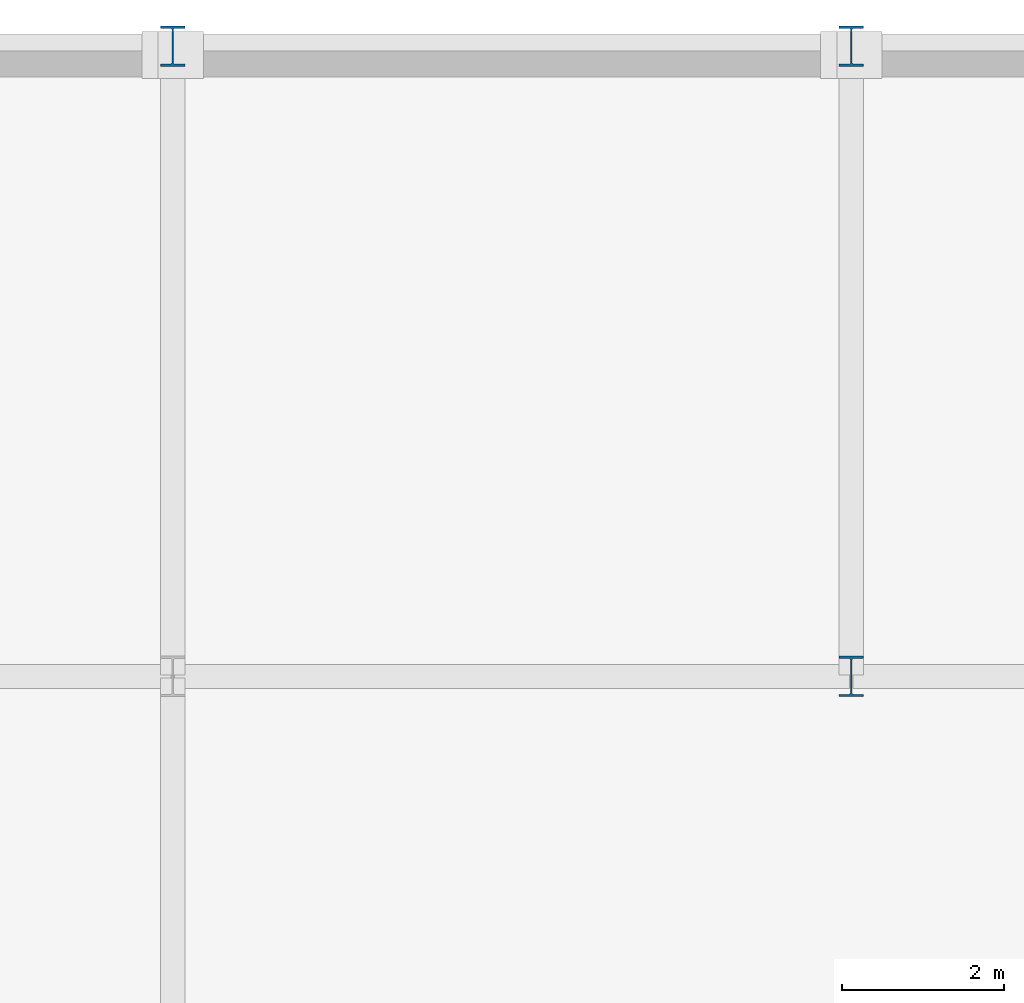
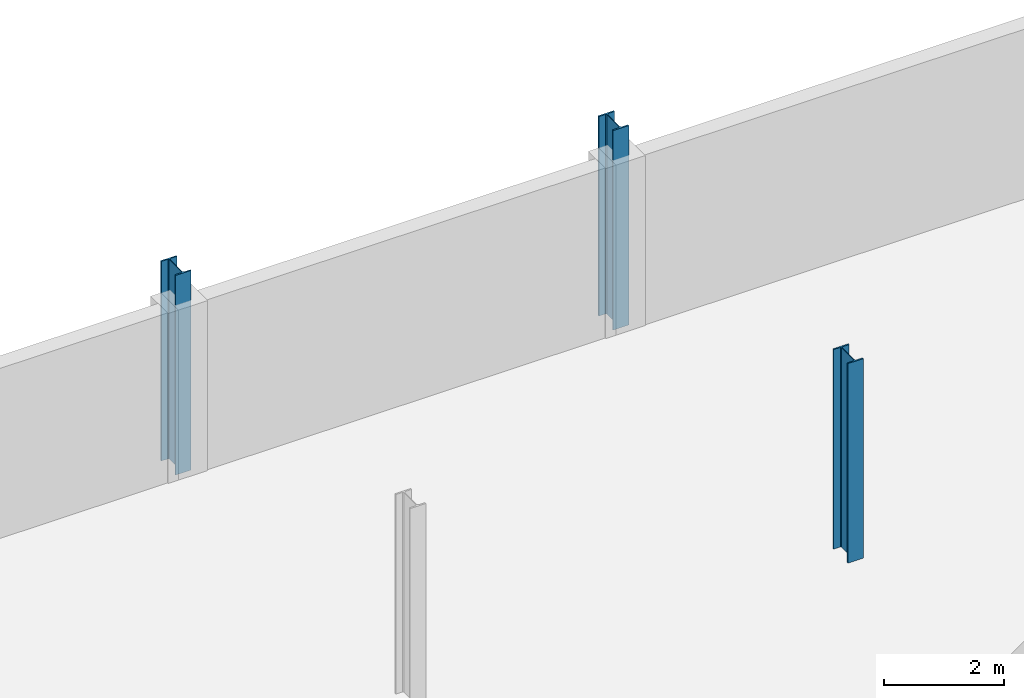
# One storey, part 17 of 77: 3 columns.
"""IFC4 building model written with IfcOpenShell, lengths in metres."""

from ifc_helpers import new_model, si_unit, direction, frame, origin, origin_2d, place, context, subcontext, project, spatial, i_section, extrude, material, material_profile, profile_set, type_object, element, save


model = new_model("IFC4")

# Units and contexts
model_context = context("Model", 3, precision=1e-05, world=origin(), true_north=direction((0.0, 1.0)))
body_context = subcontext(model_context, "Body", "Model", "MODEL_VIEW")
ifc_project = project(units=[si_unit("LENGTHUNIT", "METRE"), si_unit("AREAUNIT", "SQUARE_METRE"), si_unit("VOLUMEUNIT", "CUBIC_METRE"), si_unit("PLANEANGLEUNIT", "RADIAN"), si_unit("MASSUNIT", "GRAM", prefix="KILO")], contexts=[model_context])

# Site, building, storey
site_placement = place(None, origin())
site = spatial("IfcSite", under=ifc_project, at=site_placement, CompositionType="ELEMENT")
building_placement = place(site_placement, origin())
building = spatial("IfcBuilding", under=site, at=building_placement, Name="Nabrawat Pavilion Hospital", CompositionType="ELEMENT")
storey_placement = place(building_placement, frame((0.0, 0.0, 14.85009765625)))
storey = spatial("IfcBuildingStorey", under=building, at=storey_placement, Name="L03", CompositionType="ELEMENT", Elevation=14.85009765625)

# Columns
ifc_material = material(Name="Steel S355", Category="steel")
ifc_material_profile = material_profile(ifc_material, i_section(OverallWidth=0.300048828125, OverallDepth=0.5, WebThickness=0.014404296875, FlangeThickness=0.028076171875, FilletRadius=0.027099609375, at=origin_2d()), Name="HEB 500")
ifc_profile_set = profile_set([ifc_material_profile], Name="Steel S355")
column_type = type_object("IfcColumnType", Name="Composite Steel Column HEB 500", PredefinedType="COLUMN", material=ifc_profile_set)
for number, where, z_axis, x_axis, name in (
    (1, (176.39990234375, 124.800048828125, 0.0), (0.0, 0.0, 1.0), (1.0, 0.0, 0.0), "L03 Structural Column G-22-S"),
    (2, (184.800048828125, 117.0, 0.0), (0.0, 0.0, 1.0), (1.0, 0.0, 0.0), "L03 Structural Column G-23-R"),
    (3, (184.800048828125, 124.800048828125, 0.0), (0.0, 0.0, 1.0), (1.0, 0.0, 0.0), "L03 Structural Column G-23-S"),
):
    element("IfcColumn", number, at=place(storey_placement, frame(where, z_axis=z_axis, x_axis=x_axis)), inside=storey, type_object=column_type, Name=name, PredefinedType="COLUMN", context=body_context, shape_type="SweptSolid", body=[
        extrude(i_section(OverallWidth=0.300048828125, OverallDepth=0.5, WebThickness=0.014404296875, FlangeThickness=0.028076171875, FilletRadius=0.027099609375, at=origin_2d()), origin(), (0.0, 0.0, 1.0), 4.0498046875),
    ])

save(model, "model.ifc")
